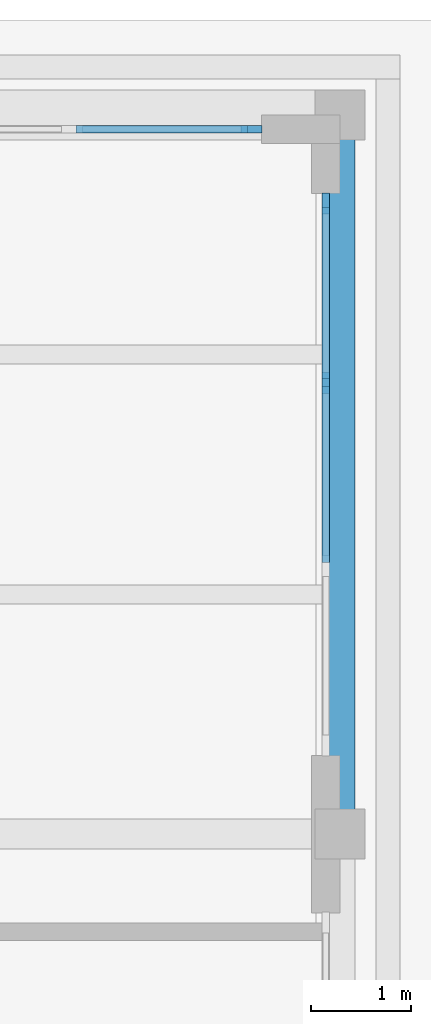
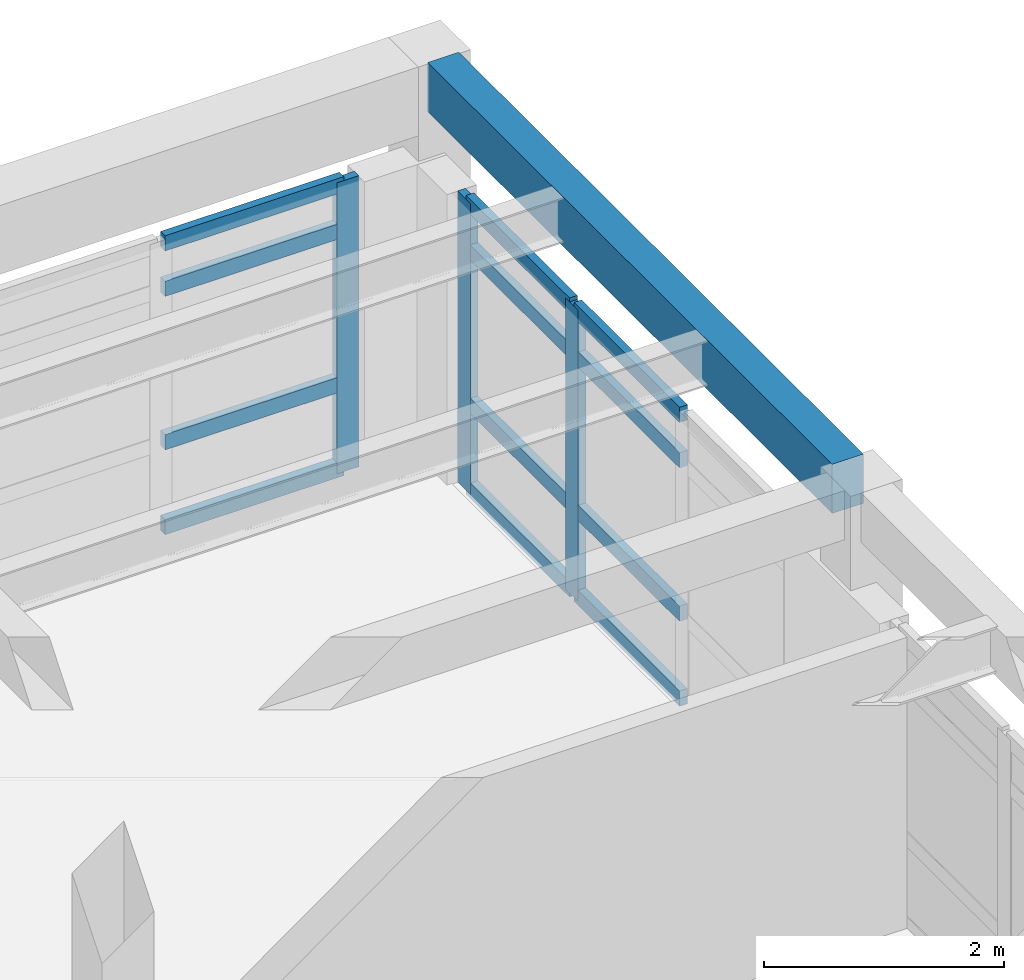
# One storey, part 9 of 18: 15 members, 1 beam, 2 elements without a shape of their own.
"""IFC4 building model written with IfcOpenShell, lengths in metres."""

import ifcopenshell
import ifcopenshell.guid

model = None  # the IFC model being written
_history = None  # IfcOwnerHistory: only IFC2X3 demands one
_inside = {}  # id of a spatial element -> (the spatial element, [elements in it])
_under = {}  # id of a project, library or spatial element -> (it, [spatial elements below it])
_declared = {}  # id of a project -> (the project, [libraries it declares])
_typed = {}  # id of a type object -> (the type object, [elements of that type])
_made_of = {}  # id of a material, layer set ... -> (it, [elements and type objects made of it])


def new_model(schema):
    """Start an empty IFC model of exactly this schema.

    Asked for "IFC4X3", IfcOpenShell would pick the latest addendum, in which some entities
    have other attributes; the version numbers below select the first issue.
    IFC2X3 requires an IfcOwnerHistory on every rooted entity: one is made here for all.
    """
    global model, _history
    if schema == "IFC4X3":
        model = ifcopenshell.file(schema_version=(4, 3, 0, 0))
    else:
        model = ifcopenshell.file(schema=schema)
    _inside.clear()
    _under.clear()
    _declared.clear()
    _typed.clear()
    _made_of.clear()
    _history = None
    if model.schema == "IFC2X3":
        org = make("IfcOrganization", Name="unknown")
        user = make(
            "IfcPersonAndOrganization",
            ThePerson=make("IfcPerson", FamilyName="unknown"),
            TheOrganization=org,
        )
        app = make(
            "IfcApplication",
            ApplicationDeveloper=org,
            Version="unknown",
            ApplicationFullName="unknown",
            ApplicationIdentifier="unknown",
        )
        _history = make(
            "IfcOwnerHistory",
            OwningUser=user,
            OwningApplication=app,
            ChangeAction="ADDED",
            CreationDate=0,
        )
    return model


def make(cls, **values):
    """One entity of the class cls with the attributes given. An attribute that is None is left unset."""
    return model.create_entity(
        cls, **{name: value for name, value in values.items() if value is not None}
    )


def rooted(cls, **values):
    """An entity with a GlobalId (a new one), such as an element, a storey or a relation."""
    return make(cls, GlobalId=ifcopenshell.guid.new(), OwnerHistory=_history, **values)


def si_unit(unit_type, name, prefix=None):
    """IfcSIUnit, for example si_unit("LENGTHUNIT", "METRE", prefix="MILLI")."""
    return make("IfcSIUnit", UnitType=unit_type, Prefix=prefix, Name=name)


def assignment(units):
    """IfcUnitAssignment: the units of a project."""
    return None if units is None else make("IfcUnitAssignment", Units=units)


def point(xyz):
    """IfcCartesianPoint."""
    return None if xyz is None else make("IfcCartesianPoint", Coordinates=xyz)


def direction(xyz):
    """IfcDirection."""
    return None if xyz is None else make("IfcDirection", DirectionRatios=xyz)


def frame(location, z_axis=None, x_axis=None):
    """IfcAxis2Placement3D, a coordinate frame: its origin and axes. An axis left out is left unset."""
    return make(
        "IfcAxis2Placement3D",
        Location=point(location),
        Axis=direction(z_axis),
        RefDirection=direction(x_axis),
    )


def frame_2d(location, x_axis=None):
    """IfcAxis2Placement2D, a coordinate frame in the plane: its origin and x axis."""
    return make(
        "IfcAxis2Placement2D", Location=point(location), RefDirection=direction(x_axis)
    )


def origin():
    """The frame at (0, 0, 0) with its axes left unset."""
    return frame((0.0, 0.0, 0.0))


def origin_2d():
    """The frame at (0, 0) in the plane with its x axis left unset."""
    return frame_2d((0.0, 0.0))


def place(relative_to, where):
    """IfcLocalPlacement: puts the frame where relative to a parent placement (None: the world)."""
    return make(
        "IfcLocalPlacement", PlacementRelTo=relative_to, RelativePlacement=where
    )


def context(
    kind, dimensions, precision=None, world=None, true_north=None, identifier=None
):
    """IfcGeometricRepresentationContext, for example the 3D "Model" context."""
    return make(
        "IfcGeometricRepresentationContext",
        ContextIdentifier=identifier,
        ContextType=kind,
        CoordinateSpaceDimension=dimensions,
        Precision=precision,
        WorldCoordinateSystem=world,
        TrueNorth=true_north,
    )


def subcontext(parent, identifier, kind, view, scale=None):
    """IfcGeometricRepresentationSubContext, for example "Body" below "Model"."""
    return make(
        "IfcGeometricRepresentationSubContext",
        ContextIdentifier=identifier,
        ContextType=kind,
        ParentContext=parent,
        TargetScale=scale,
        TargetView=view,
    )


def project(units=None, contexts=None):
    """IfcProject with its units and contexts."""
    return rooted(
        "IfcProject",
        Name="project",
        RepresentationContexts=contexts,
        UnitsInContext=assignment(units),
    )


def spatial(cls, under=None, at=None, **own):
    """A site, building, storey or space (cls), placed at a placement, below another one or the project."""
    s = rooted(cls, ObjectPlacement=at, **own)
    if under is not None:
        _under.setdefault(under.id(), (under, []))[1].append(s)
    return s


def profile(cls, at=None, kind="AREA", **sizes):
    """A parametric profile (cls). Its sizes go by their IFC names, for example OverallWidth=200.0."""
    return make(cls, ProfileType=kind, Position=at, **sizes)


def rectangle(**sizes):
    """IfcRectangleProfileDef."""
    return profile("IfcRectangleProfileDef", **sizes)


def extrude(swept, where, along, depth):
    """IfcExtrudedAreaSolid: the profile swept, set in the frame where, extruded along a direction by depth."""
    return make(
        "IfcExtrudedAreaSolid",
        SweptArea=swept,
        Position=where,
        ExtrudedDirection=direction(along),
        Depth=depth,
    )


def shape(context_of_items, identifier, shape_type, items):
    """IfcShapeRepresentation: the items that make up one representation, for example the "Body"."""
    return make(
        "IfcShapeRepresentation",
        ContextOfItems=context_of_items,
        RepresentationIdentifier=identifier,
        RepresentationType=shape_type,
        Items=items,
    )


def material(Name=None, Category=None):
    """IfcMaterial."""
    return make("IfcMaterial", Name=Name, Category=Category)


def layer(
    of_material, thickness, ventilated=None, Name=None, Category=None, Priority=None
):
    """IfcMaterialLayer: one layer of a wall or slab, of a material (None: an air gap)."""
    return make(
        "IfcMaterialLayer",
        Material=of_material,
        LayerThickness=thickness,
        IsVentilated=ventilated,
        Name=Name,
        Category=Category,
        Priority=Priority,
    )


def layer_set(layers, Name=None):
    """IfcMaterialLayerSet."""
    return make("IfcMaterialLayerSet", MaterialLayers=layers, LayerSetName=Name)


def material_profile(
    of_material, cross_section, Name=None, Category=None, Priority=None
):
    """IfcMaterialProfile: a cross section and its material."""
    return make(
        "IfcMaterialProfile",
        Name=Name,
        Material=of_material,
        Profile=cross_section,
        Priority=Priority,
        Category=Category,
    )


def profile_set(profiles, Name=None, composite=None):
    """IfcMaterialProfileSet."""
    return make(
        "IfcMaterialProfileSet",
        Name=Name,
        MaterialProfiles=profiles,
        CompositeProfile=composite,
    )


def made_of(thing, what):
    """Note that an element or type object is made of a material, layer set ...; save() writes the relation."""
    if what is not None:
        _made_of.setdefault(what.id(), (what, []))[1].append(thing)
    return thing


def type_object(cls, material=None, **own):
    """A type object (cls), such as IfcWallType, which elements share."""
    return made_of(rooted(cls, **own), material)


def element(
    cls,
    number,
    at=None,
    inside=None,
    cuts=None,
    type_object=None,
    material=None,
    context=None,
    identifier="Body",
    shape_type=None,
    held_by="IfcProductDefinitionShape",
    body=None,
    shapes=None,
    **own,
):
    """One element of the class cls, such as IfcWall. Its Tag is "e" and its number.

    at: its placement. inside: the storey or other place that contains it. cuts: it is an
    opening in that element (IfcRelVoidsElement). A single representation is given by context,
    identifier, shape_type and body (its items); several are given by shapes. held_by: the class
    of the entity that holds the representations. save() writes the other relations.
    """
    e = rooted(cls, Tag="e%d" % number, ObjectPlacement=at, **own)
    if body is not None:
        shapes = [shape(context, identifier, shape_type, body)]
    if shapes is not None:
        e.Representation = make(held_by, Representations=shapes)
    if inside is not None:
        _inside.setdefault(inside.id(), (inside, []))[1].append(e)
    if cuts is not None:
        rooted(
            "IfcRelVoidsElement", RelatingBuildingElement=cuts, RelatedOpeningElement=e
        )
    if type_object is not None:
        _typed.setdefault(type_object.id(), (type_object, []))[1].append(e)
    return made_of(e, material)


def aggregate(whole, parts):
    """IfcRelAggregates: a whole, such as a stair, and the parts it consists of."""
    return rooted("IfcRelAggregates", RelatingObject=whole, RelatedObjects=parts)


def save(model, path):
    """Write the relations noted so far, then the file.

    IfcRelAggregates (storeys below a building ...), IfcRelContainedInSpatialStructure (elements
    in a storey), IfcRelDefinesByType, IfcRelAssociatesMaterial and IfcRelDeclares: one each for
    every whole, place, type object, material and project.
    """
    for whole, parts in _under.values():
        aggregate(whole, parts)
    for where, things in _inside.values():
        rooted(
            "IfcRelContainedInSpatialStructure",
            RelatedElements=things,
            RelatingStructure=where,
        )
    for kind, things in _typed.values():
        rooted("IfcRelDefinesByType", RelatedObjects=things, RelatingType=kind)
    for what, things in _made_of.values():
        rooted("IfcRelAssociatesMaterial", RelatedObjects=things, RelatingMaterial=what)
    for by, libraries in _declared.values():
        rooted("IfcRelDeclares", RelatingContext=by, RelatedDefinitions=libraries)
    model.write(path)


model = new_model("IFC4")

# Units and contexts
model_context = context("Model", 3, precision=1e-05, world=origin(), true_north=direction((0.0, 1.0)))
body_context = subcontext(model_context, "Body", "Model", "MODEL_VIEW")
ifc_project = project(units=[si_unit("LENGTHUNIT", "METRE"), si_unit("AREAUNIT", "SQUARE_METRE"), si_unit("VOLUMEUNIT", "CUBIC_METRE"), si_unit("PLANEANGLEUNIT", "RADIAN"), si_unit("MASSUNIT", "GRAM", prefix="KILO")], contexts=[model_context])

# Site, building, storey
site_placement = place(None, origin())
site = spatial("IfcSite", under=ifc_project, at=site_placement, CompositionType="ELEMENT")
building_placement = place(site_placement, origin())
building = spatial("IfcBuilding", under=site, at=building_placement, Name="Solenvale Faculty of Natural Sciences", CompositionType="ELEMENT")
storey_placement = place(building_placement, frame((0.0, 0.0, 43.800048828125)))
storey = spatial("IfcBuildingStorey", under=building, at=storey_placement, Name="L10", CompositionType="ELEMENT", Elevation=43.800048828125)

# Beam
ifc_material_1 = material(Name="Concrete 40 MPa", Category="concrete")
ifc_material_profile_1 = material_profile(ifc_material_1, rectangle(XDim=0.300048828125, YDim=0.5, at=origin_2d()), Name="RC-BM-300x500")
ifc_profile_set_1 = profile_set([ifc_material_profile_1], Name="Concrete 40 MPa")
beam_type = type_object("IfcBeamType", Name="BM-RC-300x500", PredefinedType="BEAM", material=ifc_profile_set_1)
beam_placement = place(storey_placement, frame((151.199951171875, 108.22998046875, 3.669921875), z_axis=(0.0, 1.0, 0.0), x_axis=(-1.0, 0.0, 0.0)))
element("IfcBeam", 1, at=beam_placement, inside=storey, type_object=beam_type, Name="L10 Y-Girder X151.2 (108.0..115.2)", PredefinedType="BEAM", context=body_context, shape_type="SweptSolid", body=[
    extrude(rectangle(XDim=0.300048828125, YDim=0.5, at=origin_2d()), origin(), (0.0, 0.0, 1.0), 6.739990234375),
])

# Curtain wall, members
ifc_material_2 = material(Name="Anodised bronze aluminium", Category="aluminium")
ifc_layer = layer(ifc_material_2, 0.179931640625)
ifc_layer_set = layer_set([ifc_layer], Name="Anodised bronze aluminium")
curtain_wall_type = type_object("IfcCurtainWallType", Name="CW-TWR-MOD", PredefinedType="USERDEFINED", material=ifc_layer_set)
curtain_wall_1_placement = place(storey_placement, origin())
curtain_wall_1 = element("IfcCurtainWall", 2, at=curtain_wall_1_placement, inside=storey, type_object=curtain_wall_type, Name="L10 Curtain Wall CW-L10-P1-E1-B3", ObjectType="UNITISED CURTAIN WALL", PredefinedType="USERDEFINED")
ifc_material_profile_2 = material_profile(ifc_material_2, rectangle(XDim=0.074951171875, YDim=0.2099609375, at=origin_2d()), Name="ALU-MUL-75x210")
ifc_profile_set_2 = profile_set([ifc_material_profile_2], Name="Anodised bronze aluminium")
member_type_1 = type_object("IfcMemberType", Name="CWM-ALU-75x210", PredefinedType="MULLION", material=ifc_profile_set_2)
member_1_placement = place(storey_placement, frame((151.0576171875, 112.5166015625, 0.0), z_axis=(0.0, 0.0, 1.0), x_axis=(-1.0, 0.0, 0.0)))
member_1 = element("IfcMember", 3, at=member_1_placement, type_object=member_type_1, Name="CW-04 mullion 3", PredefinedType="MULLION", context=body_context, shape_type="SweptSolid", body=[
    extrude(rectangle(XDim=0.074951171875, YDim=0.2099609375, at=origin_2d()), origin(), (0.0, 0.0, 1.0), 2.9599609375),
])
member_2_placement = place(storey_placement, frame((151.0576171875, 114.3125, 0.0), z_axis=(0.0, 0.0, 1.0), x_axis=(-1.0, 0.0, 0.0)))
member_2 = element("IfcMember", 4, at=member_2_placement, type_object=member_type_1, Name="CW-04 mullion 4", PredefinedType="MULLION", context=body_context, shape_type="SweptSolid", body=[
    extrude(rectangle(XDim=0.074951171875, YDim=0.2099609375, at=origin_2d()), origin(), (0.0, 0.0, 1.0), 2.9599609375),
])

# Curtain wall, member
curtain_wall_2_placement = place(storey_placement, origin())
curtain_wall_2 = element("IfcCurtainWall", 5, at=curtain_wall_2_placement, inside=storey, type_object=curtain_wall_type, Name="L10 Curtain Wall CW-L10-P1-E2-B1", ObjectType="UNITISED CURTAIN WALL", PredefinedType="USERDEFINED")
member_3_placement = place(storey_placement, frame((150.3125, 115.0576171875, 0.0), z_axis=(0.0, 0.0, 1.0), x_axis=(0.0, -1.0, 0.0)))
member_3 = element("IfcMember", 6, at=member_3_placement, type_object=member_type_1, Name="CW-04 mullion 1", PredefinedType="MULLION", context=body_context, shape_type="SweptSolid", body=[
    extrude(rectangle(XDim=0.074951171875, YDim=0.2099609375, at=origin_2d()), origin(), (0.0, 0.0, 1.0), 2.9599609375),
])

# Member
ifc_material_profile_3 = material_profile(ifc_material_2, rectangle(XDim=0.074951171875, YDim=0.155029296875, at=origin_2d()), Name="ALU-TRN-75x155")
ifc_profile_set_3 = profile_set([ifc_material_profile_3], Name="Anodised bronze aluminium")
member_type_2 = type_object("IfcMemberType", Name="CWT-ALU-75x155", PredefinedType="USERDEFINED", material=ifc_profile_set_3)
member_4_placement = place(storey_placement, frame((151.0576171875, 110.720947265625, 0.037353515625), z_axis=(0.0, 1.0, 0.0), x_axis=(-1.0, 0.0, 0.0)))
member_4 = element("IfcMember", 7, at=member_4_placement, type_object=member_type_2, Name="CW-04 transom 2.1", ObjectType="TRANSOM", PredefinedType="USERDEFINED", context=body_context, shape_type="SweptSolid", body=[
    extrude(rectangle(XDim=0.074951171875, YDim=0.155029296875, at=origin_2d()), origin(), (0.0, 0.0, 1.0), 1.75830078125),
])

member_5_placement = place(storey_placement, frame((151.0576171875, 110.720947265625, 0.89990234375), z_axis=(0.0, 1.0, 0.0), x_axis=(-1.0, 0.0, 0.0)))
member_5 = element("IfcMember", 8, at=member_5_placement, type_object=member_type_2, Name="CW-04 transom 2.2", ObjectType="TRANSOM", PredefinedType="USERDEFINED", context=body_context, shape_type="SweptSolid", body=[
    extrude(rectangle(XDim=0.074951171875, YDim=0.155029296875, at=origin_2d()), origin(), (0.0, 0.0, 1.0), 1.75830078125),
])

member_6_placement = place(storey_placement, frame((151.0576171875, 110.720947265625, 2.4599609375), z_axis=(0.0, 1.0, 0.0), x_axis=(-1.0, 0.0, 0.0)))
member_6 = element("IfcMember", 9, at=member_6_placement, type_object=member_type_2, Name="CW-04 transom 2.3", ObjectType="TRANSOM", PredefinedType="USERDEFINED", context=body_context, shape_type="SweptSolid", body=[
    extrude(rectangle(XDim=0.074951171875, YDim=0.155029296875, at=origin_2d()), origin(), (0.0, 0.0, 1.0), 1.75830078125),
])

member_7_placement = place(storey_placement, frame((151.0576171875, 110.720947265625, 2.92236328125), z_axis=(0.0, 1.0, 0.0), x_axis=(-1.0, 0.0, 0.0)))
member_7 = element("IfcMember", 10, at=member_7_placement, type_object=member_type_2, Name="CW-04 transom 2.4", ObjectType="TRANSOM", PredefinedType="USERDEFINED", context=body_context, shape_type="SweptSolid", body=[
    extrude(rectangle(XDim=0.074951171875, YDim=0.155029296875, at=origin_2d()), origin(), (0.0, 0.0, 1.0), 1.75830078125),
])

member_8_placement = place(storey_placement, frame((151.0576171875, 112.55419921875, 0.037353515625), z_axis=(0.0, 1.0, 0.0), x_axis=(-1.0, 0.0, 0.0)))
member_8 = element("IfcMember", 11, at=member_8_placement, type_object=member_type_2, Name="CW-04 transom 3.1", ObjectType="TRANSOM", PredefinedType="USERDEFINED", context=body_context, shape_type="SweptSolid", body=[
    extrude(rectangle(XDim=0.074951171875, YDim=0.155029296875, at=origin_2d()), origin(), (0.0, 0.0, 1.0), 1.720703125),
])

member_9_placement = place(storey_placement, frame((151.0576171875, 112.55419921875, 0.89990234375), z_axis=(0.0, 1.0, 0.0), x_axis=(-1.0, 0.0, 0.0)))
member_9 = element("IfcMember", 12, at=member_9_placement, type_object=member_type_2, Name="CW-04 transom 3.2", ObjectType="TRANSOM", PredefinedType="USERDEFINED", context=body_context, shape_type="SweptSolid", body=[
    extrude(rectangle(XDim=0.074951171875, YDim=0.155029296875, at=origin_2d()), origin(), (0.0, 0.0, 1.0), 1.720703125),
])

member_10_placement = place(storey_placement, frame((151.0576171875, 112.55419921875, 2.4599609375), z_axis=(0.0, 1.0, 0.0), x_axis=(-1.0, 0.0, 0.0)))
member_10 = element("IfcMember", 13, at=member_10_placement, type_object=member_type_2, Name="CW-04 transom 3.3", ObjectType="TRANSOM", PredefinedType="USERDEFINED", context=body_context, shape_type="SweptSolid", body=[
    extrude(rectangle(XDim=0.074951171875, YDim=0.155029296875, at=origin_2d()), origin(), (0.0, 0.0, 1.0), 1.720703125),
])

member_11_placement = place(storey_placement, frame((151.0576171875, 112.55419921875, 2.92236328125), z_axis=(0.0, 1.0, 0.0), x_axis=(-1.0, 0.0, 0.0)))
member_11 = element("IfcMember", 14, at=member_11_placement, type_object=member_type_2, Name="CW-04 transom 3.4", ObjectType="TRANSOM", PredefinedType="USERDEFINED", context=body_context, shape_type="SweptSolid", body=[
    extrude(rectangle(XDim=0.074951171875, YDim=0.155029296875, at=origin_2d()), origin(), (0.0, 0.0, 1.0), 1.720703125),
])

aggregate(curtain_wall_1, [member_1, member_2, member_4, member_5, member_6, member_7, member_8, member_9, member_10, member_11])

member_12_placement = place(storey_placement, frame((150.27490234375, 115.0576171875, 0.037353515625), z_axis=(-1.0, 0.0, 0.0), x_axis=(0.0, -1.0, 0.0)))
member_12 = element("IfcMember", 15, at=member_12_placement, type_object=member_type_2, Name="CW-04 transom 1.1", ObjectType="TRANSOM", PredefinedType="USERDEFINED", context=body_context, shape_type="SweptSolid", body=[
    extrude(rectangle(XDim=0.074951171875, YDim=0.155029296875, at=origin_2d()), origin(), (0.0, 0.0, 1.0), 1.720703125),
])

member_13_placement = place(storey_placement, frame((150.27490234375, 115.0576171875, 0.89990234375), z_axis=(-1.0, 0.0, 0.0), x_axis=(0.0, -1.0, 0.0)))
member_13 = element("IfcMember", 16, at=member_13_placement, type_object=member_type_2, Name="CW-04 transom 1.2", ObjectType="TRANSOM", PredefinedType="USERDEFINED", context=body_context, shape_type="SweptSolid", body=[
    extrude(rectangle(XDim=0.074951171875, YDim=0.155029296875, at=origin_2d()), origin(), (0.0, 0.0, 1.0), 1.720703125),
])

member_14_placement = place(storey_placement, frame((150.27490234375, 115.0576171875, 2.4599609375), z_axis=(-1.0, 0.0, 0.0), x_axis=(0.0, -1.0, 0.0)))
member_14 = element("IfcMember", 17, at=member_14_placement, type_object=member_type_2, Name="CW-04 transom 1.3", ObjectType="TRANSOM", PredefinedType="USERDEFINED", context=body_context, shape_type="SweptSolid", body=[
    extrude(rectangle(XDim=0.074951171875, YDim=0.155029296875, at=origin_2d()), origin(), (0.0, 0.0, 1.0), 1.720703125),
])

member_15_placement = place(storey_placement, frame((150.27490234375, 115.0576171875, 2.92236328125), z_axis=(-1.0, 0.0, 0.0), x_axis=(0.0, -1.0, 0.0)))
member_15 = element("IfcMember", 18, at=member_15_placement, type_object=member_type_2, Name="CW-04 transom 1.4", ObjectType="TRANSOM", PredefinedType="USERDEFINED", context=body_context, shape_type="SweptSolid", body=[
    extrude(rectangle(XDim=0.074951171875, YDim=0.155029296875, at=origin_2d()), origin(), (0.0, 0.0, 1.0), 1.720703125),
])

aggregate(curtain_wall_2, [member_3, member_12, member_13, member_14, member_15])

save(model, "model.ifc")
